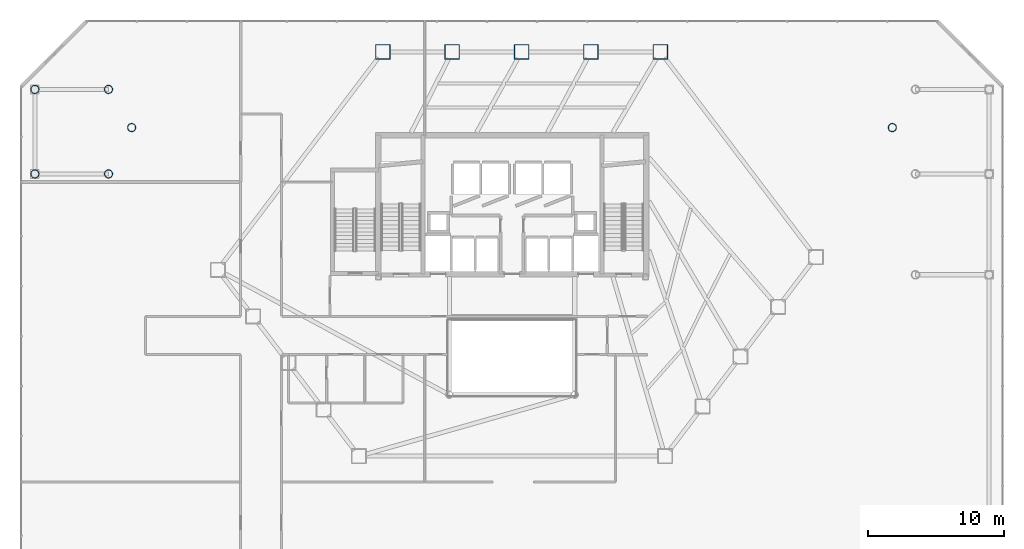
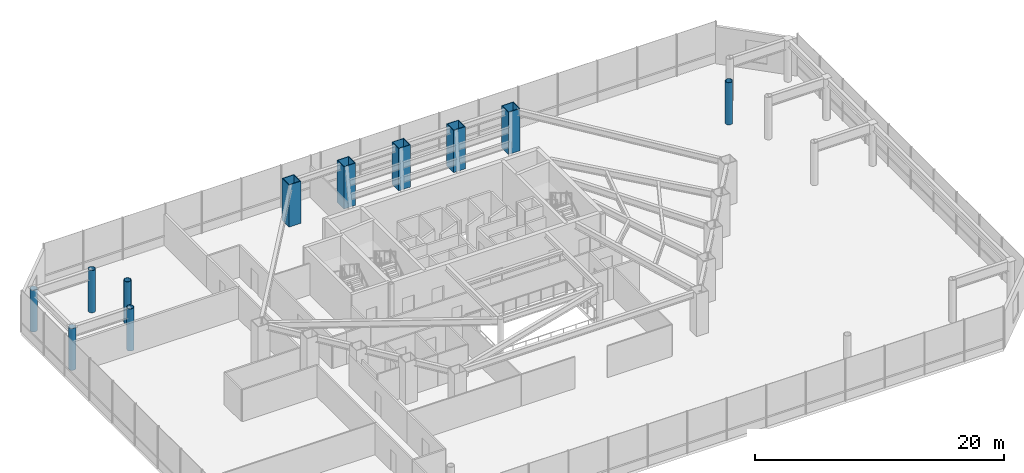
# One storey, part 2 of 37: 11 columns.
"""IFC4 building model written with IfcOpenShell, lengths in metres."""

import ifcopenshell
import ifcopenshell.guid

model = None  # the IFC model being written
_history = None  # IfcOwnerHistory: only IFC2X3 demands one
_inside = {}  # id of a spatial element -> (the spatial element, [elements in it])
_under = {}  # id of a project, library or spatial element -> (it, [spatial elements below it])
_declared = {}  # id of a project -> (the project, [libraries it declares])
_typed = {}  # id of a type object -> (the type object, [elements of that type])
_made_of = {}  # id of a material, layer set ... -> (it, [elements and type objects made of it])


def new_model(schema):
    """Start an empty IFC model of exactly this schema.

    Asked for "IFC4X3", IfcOpenShell would pick the latest addendum, in which some entities
    have other attributes; the version numbers below select the first issue.
    IFC2X3 requires an IfcOwnerHistory on every rooted entity: one is made here for all.
    """
    global model, _history
    if schema == "IFC4X3":
        model = ifcopenshell.file(schema_version=(4, 3, 0, 0))
    else:
        model = ifcopenshell.file(schema=schema)
    _inside.clear()
    _under.clear()
    _declared.clear()
    _typed.clear()
    _made_of.clear()
    _history = None
    if model.schema == "IFC2X3":
        org = make("IfcOrganization", Name="unknown")
        user = make(
            "IfcPersonAndOrganization",
            ThePerson=make("IfcPerson", FamilyName="unknown"),
            TheOrganization=org,
        )
        app = make(
            "IfcApplication",
            ApplicationDeveloper=org,
            Version="unknown",
            ApplicationFullName="unknown",
            ApplicationIdentifier="unknown",
        )
        _history = make(
            "IfcOwnerHistory",
            OwningUser=user,
            OwningApplication=app,
            ChangeAction="ADDED",
            CreationDate=0,
        )
    return model


def make(cls, **values):
    """One entity of the class cls with the attributes given. An attribute that is None is left unset."""
    return model.create_entity(
        cls, **{name: value for name, value in values.items() if value is not None}
    )


def rooted(cls, **values):
    """An entity with a GlobalId (a new one), such as an element, a storey or a relation."""
    return make(cls, GlobalId=ifcopenshell.guid.new(), OwnerHistory=_history, **values)


def si_unit(unit_type, name, prefix=None):
    """IfcSIUnit, for example si_unit("LENGTHUNIT", "METRE", prefix="MILLI")."""
    return make("IfcSIUnit", UnitType=unit_type, Prefix=prefix, Name=name)


def assignment(units):
    """IfcUnitAssignment: the units of a project."""
    return None if units is None else make("IfcUnitAssignment", Units=units)


def point(xyz):
    """IfcCartesianPoint."""
    return None if xyz is None else make("IfcCartesianPoint", Coordinates=xyz)


def direction(xyz):
    """IfcDirection."""
    return None if xyz is None else make("IfcDirection", DirectionRatios=xyz)


def frame(location, z_axis=None, x_axis=None):
    """IfcAxis2Placement3D, a coordinate frame: its origin and axes. An axis left out is left unset."""
    return make(
        "IfcAxis2Placement3D",
        Location=point(location),
        Axis=direction(z_axis),
        RefDirection=direction(x_axis),
    )


def frame_2d(location, x_axis=None):
    """IfcAxis2Placement2D, a coordinate frame in the plane: its origin and x axis."""
    return make(
        "IfcAxis2Placement2D", Location=point(location), RefDirection=direction(x_axis)
    )


def origin():
    """The frame at (0, 0, 0) with its axes left unset."""
    return frame((0.0, 0.0, 0.0))


def origin_2d():
    """The frame at (0, 0) in the plane with its x axis left unset."""
    return frame_2d((0.0, 0.0))


def place(relative_to, where):
    """IfcLocalPlacement: puts the frame where relative to a parent placement (None: the world)."""
    return make(
        "IfcLocalPlacement", PlacementRelTo=relative_to, RelativePlacement=where
    )


def context(
    kind, dimensions, precision=None, world=None, true_north=None, identifier=None
):
    """IfcGeometricRepresentationContext, for example the 3D "Model" context."""
    return make(
        "IfcGeometricRepresentationContext",
        ContextIdentifier=identifier,
        ContextType=kind,
        CoordinateSpaceDimension=dimensions,
        Precision=precision,
        WorldCoordinateSystem=world,
        TrueNorth=true_north,
    )


def subcontext(parent, identifier, kind, view, scale=None):
    """IfcGeometricRepresentationSubContext, for example "Body" below "Model"."""
    return make(
        "IfcGeometricRepresentationSubContext",
        ContextIdentifier=identifier,
        ContextType=kind,
        ParentContext=parent,
        TargetScale=scale,
        TargetView=view,
    )


def project(units=None, contexts=None):
    """IfcProject with its units and contexts."""
    return rooted(
        "IfcProject",
        Name="project",
        RepresentationContexts=contexts,
        UnitsInContext=assignment(units),
    )


def spatial(cls, under=None, at=None, **own):
    """A site, building, storey or space (cls), placed at a placement, below another one or the project."""
    s = rooted(cls, ObjectPlacement=at, **own)
    if under is not None:
        _under.setdefault(under.id(), (under, []))[1].append(s)
    return s


def profile(cls, at=None, kind="AREA", **sizes):
    """A parametric profile (cls). Its sizes go by their IFC names, for example OverallWidth=200.0."""
    return make(cls, ProfileType=kind, Position=at, **sizes)


def hollow_rectangle(**sizes):
    """IfcRectangleHollowProfileDef."""
    return profile("IfcRectangleHollowProfileDef", **sizes)


def hollow_circle(**sizes):
    """IfcCircleHollowProfileDef."""
    return profile("IfcCircleHollowProfileDef", **sizes)


def extrude(swept, where, along, depth):
    """IfcExtrudedAreaSolid: the profile swept, set in the frame where, extruded along a direction by depth."""
    return make(
        "IfcExtrudedAreaSolid",
        SweptArea=swept,
        Position=where,
        ExtrudedDirection=direction(along),
        Depth=depth,
    )


def shape(context_of_items, identifier, shape_type, items):
    """IfcShapeRepresentation: the items that make up one representation, for example the "Body"."""
    return make(
        "IfcShapeRepresentation",
        ContextOfItems=context_of_items,
        RepresentationIdentifier=identifier,
        RepresentationType=shape_type,
        Items=items,
    )


def material(Name=None, Category=None):
    """IfcMaterial."""
    return make("IfcMaterial", Name=Name, Category=Category)


def material_profile(
    of_material, cross_section, Name=None, Category=None, Priority=None
):
    """IfcMaterialProfile: a cross section and its material."""
    return make(
        "IfcMaterialProfile",
        Name=Name,
        Material=of_material,
        Profile=cross_section,
        Priority=Priority,
        Category=Category,
    )


def profile_set(profiles, Name=None, composite=None):
    """IfcMaterialProfileSet."""
    return make(
        "IfcMaterialProfileSet",
        Name=Name,
        MaterialProfiles=profiles,
        CompositeProfile=composite,
    )


def made_of(thing, what):
    """Note that an element or type object is made of a material, layer set ...; save() writes the relation."""
    if what is not None:
        _made_of.setdefault(what.id(), (what, []))[1].append(thing)
    return thing


def type_object(cls, material=None, **own):
    """A type object (cls), such as IfcWallType, which elements share."""
    return made_of(rooted(cls, **own), material)


def element(
    cls,
    number,
    at=None,
    inside=None,
    cuts=None,
    type_object=None,
    material=None,
    context=None,
    identifier="Body",
    shape_type=None,
    held_by="IfcProductDefinitionShape",
    body=None,
    shapes=None,
    **own,
):
    """One element of the class cls, such as IfcWall. Its Tag is "e" and its number.

    at: its placement. inside: the storey or other place that contains it. cuts: it is an
    opening in that element (IfcRelVoidsElement). A single representation is given by context,
    identifier, shape_type and body (its items); several are given by shapes. held_by: the class
    of the entity that holds the representations. save() writes the other relations.
    """
    e = rooted(cls, Tag="e%d" % number, ObjectPlacement=at, **own)
    if body is not None:
        shapes = [shape(context, identifier, shape_type, body)]
    if shapes is not None:
        e.Representation = make(held_by, Representations=shapes)
    if inside is not None:
        _inside.setdefault(inside.id(), (inside, []))[1].append(e)
    if cuts is not None:
        rooted(
            "IfcRelVoidsElement", RelatingBuildingElement=cuts, RelatedOpeningElement=e
        )
    if type_object is not None:
        _typed.setdefault(type_object.id(), (type_object, []))[1].append(e)
    return made_of(e, material)


def aggregate(whole, parts):
    """IfcRelAggregates: a whole, such as a stair, and the parts it consists of."""
    return rooted("IfcRelAggregates", RelatingObject=whole, RelatedObjects=parts)


def save(model, path):
    """Write the relations noted so far, then the file.

    IfcRelAggregates (storeys below a building ...), IfcRelContainedInSpatialStructure (elements
    in a storey), IfcRelDefinesByType, IfcRelAssociatesMaterial and IfcRelDeclares: one each for
    every whole, place, type object, material and project.
    """
    for whole, parts in _under.values():
        aggregate(whole, parts)
    for where, things in _inside.values():
        rooted(
            "IfcRelContainedInSpatialStructure",
            RelatedElements=things,
            RelatingStructure=where,
        )
    for kind, things in _typed.values():
        rooted("IfcRelDefinesByType", RelatedObjects=things, RelatingType=kind)
    for what, things in _made_of.values():
        rooted("IfcRelAssociatesMaterial", RelatedObjects=things, RelatingMaterial=what)
    for by, libraries in _declared.values():
        rooted("IfcRelDeclares", RelatingContext=by, RelatedDefinitions=libraries)
    model.write(path)


model = new_model("IFC4")

# Units and contexts
model_context = context("Model", 3, precision=1e-05, world=origin(), true_north=direction((0.0, 1.0)))
body_context = subcontext(model_context, "Body", "Model", "MODEL_VIEW")
ifc_project = project(units=[si_unit("LENGTHUNIT", "METRE"), si_unit("AREAUNIT", "SQUARE_METRE"), si_unit("VOLUMEUNIT", "CUBIC_METRE"), si_unit("PLANEANGLEUNIT", "RADIAN"), si_unit("MASSUNIT", "GRAM", prefix="KILO")], contexts=[model_context])

# Site, building, storey
site_placement = place(None, origin())
site = spatial("IfcSite", under=ifc_project, at=site_placement, CompositionType="ELEMENT")
building_placement = place(site_placement, origin())
building = spatial("IfcBuilding", under=site, at=building_placement, Name="Zarrinselat Tower", CompositionType="ELEMENT")
storey_placement = place(building_placement, frame((0.0, 0.0, 13.93994140625)))
storey = spatial("IfcBuildingStorey", under=building, at=storey_placement, Name="L03", CompositionType="ELEMENT", Elevation=13.93994140625)

# Columns
ifc_material_1 = material(Name="Steel S355J2", Category="steel")
ifc_material_profile_1 = material_profile(ifc_material_1, hollow_circle(Radius=0.304931640625, WallThickness=0.02490234375, at=origin_2d()), Name="CHS 610x25")
ifc_profile_set_1 = profile_set([ifc_material_profile_1], Name="Steel S355J2")
column_type_1 = type_object("IfcColumnType", Name="COL-CHS610", PredefinedType="COLUMN", material=ifc_profile_set_1)
for number, where, z_axis, x_axis, name in (
    (1, (10.5, 44.0, 0.0), (0.0, 0.0, 1.0), (1.0, 0.0, 0.0), "L03 Garden Deck Support Column 3"),
    (2, (66.300048828125, 44.0, 0.0), (0.0, 0.0, 1.0), (1.0, 0.0, 0.0), "L03 Garden Deck Support Column 4"),
):
    element("IfcColumn", number, at=place(storey_placement, frame(where, z_axis=z_axis, x_axis=x_axis)), inside=storey, type_object=column_type_1, Name=name, PredefinedType="COLUMN", context=body_context, shape_type="SweptSolid", body=[
        extrude(hollow_circle(Radius=0.304931640625, WallThickness=0.02490234375, at=origin_2d()), origin(), (0.0, 0.0, 1.0), 4.14013671875),
    ])
column_1_placement = place(storey_placement, frame((3.39990234375, 40.60009765625, 0.0), z_axis=(0.0, 0.0, 1.0), x_axis=(1.0, 0.0, 0.0)))
element("IfcColumn", 3, at=column_1_placement, inside=storey, type_object=column_type_1, Name="L03 Podium Outer Column W-40", PredefinedType="COLUMN", context=body_context, shape_type="SweptSolid", body=[
    extrude(hollow_circle(Radius=0.304931640625, WallThickness=0.02490234375, at=origin_2d()), origin(), (0.0, 0.0, 1.0), 4.110107421875),
])
column_2_placement = place(storey_placement, frame((8.800048828125, 40.60009765625, 0.0), z_axis=(0.0, 0.0, 1.0), x_axis=(1.0, 0.0, 0.0)))
element("IfcColumn", 4, at=column_2_placement, inside=storey, type_object=column_type_1, Name="L03 Podium Anchor Column W-40", PredefinedType="COLUMN", context=body_context, shape_type="SweptSolid", body=[
    extrude(hollow_circle(Radius=0.304931640625, WallThickness=0.02490234375, at=origin_2d()), origin(), (0.0, 0.0, 1.0), 4.14013671875),
])
column_3_placement = place(storey_placement, frame((3.39990234375, 46.800048828125, 0.0), z_axis=(0.0, 0.0, 1.0), x_axis=(1.0, 0.0, 0.0)))
element("IfcColumn", 5, at=column_3_placement, inside=storey, type_object=column_type_1, Name="L03 Podium Outer Column W-46", PredefinedType="COLUMN", context=body_context, shape_type="SweptSolid", body=[
    extrude(hollow_circle(Radius=0.304931640625, WallThickness=0.02490234375, at=origin_2d()), origin(), (0.0, 0.0, 1.0), 4.110107421875),
])
column_4_placement = place(storey_placement, frame((8.800048828125, 46.800048828125, 0.0), z_axis=(0.0, 0.0, 1.0), x_axis=(1.0, 0.0, 0.0)))
element("IfcColumn", 6, at=column_4_placement, inside=storey, type_object=column_type_1, Name="L03 Podium Anchor Column W-46", PredefinedType="COLUMN", context=body_context, shape_type="SweptSolid", body=[
    extrude(hollow_circle(Radius=0.304931640625, WallThickness=0.02490234375, at=origin_2d()), origin(), (0.0, 0.0, 1.0), 4.14013671875),
])
ifc_material_2 = material(Name="Steel S460M", Category="steel")
ifc_material_profile_2 = material_profile(ifc_material_2, hollow_rectangle(XDim=1.10009765625, YDim=1.10009765625, WallThickness=0.054931640625, at=origin_2d()), Name="SHS 1100x1100x55")
ifc_profile_set_2 = profile_set([ifc_material_profile_2], Name="Steel S460M")
column_type_2 = type_object("IfcColumnType", Name="COL-SHS1100", PredefinedType="COLUMN", material=ifc_profile_set_2)
for number, where, z_axis, x_axis, name in (
    (7, (49.277099609375, 49.550048828125, 0.0), (0.0, 0.0, 1.0), (1.0, 0.0, 0.0), "L03 Framed-Tube Column T01"),
    (8, (44.1884765625, 49.550048828125, 0.0), (0.0, 0.0, 1.0), (1.0, 0.0, 0.0), "L03 Framed-Tube Column T02"),
    (9, (39.10009765625, 49.550048828125, 0.0), (0.0, 0.0, 1.0), (1.0, 0.0, 0.0), "L03 Framed-Tube Column T03"),
    (10, (34.011474609375, 49.550048828125, 0.0), (0.0, 0.0, 1.0), (1.0, 0.0, 0.0), "L03 Framed-Tube Column T04"),
    (11, (28.923095703125, 49.550048828125, 0.0), (0.0, 0.0, 1.0), (1.0, 0.0, 0.0), "L03 Framed-Tube Column T05"),
):
    element("IfcColumn", number, at=place(storey_placement, frame(where, z_axis=z_axis, x_axis=x_axis)), inside=storey, type_object=column_type_2, Name=name, PredefinedType="COLUMN", context=body_context, shape_type="SweptSolid", body=[
        extrude(hollow_rectangle(XDim=1.10009765625, YDim=1.10009765625, WallThickness=0.054931640625, at=origin_2d()), origin(), (0.0, 0.0, 1.0), 4.14013671875),
    ])

save(model, "model.ifc")
